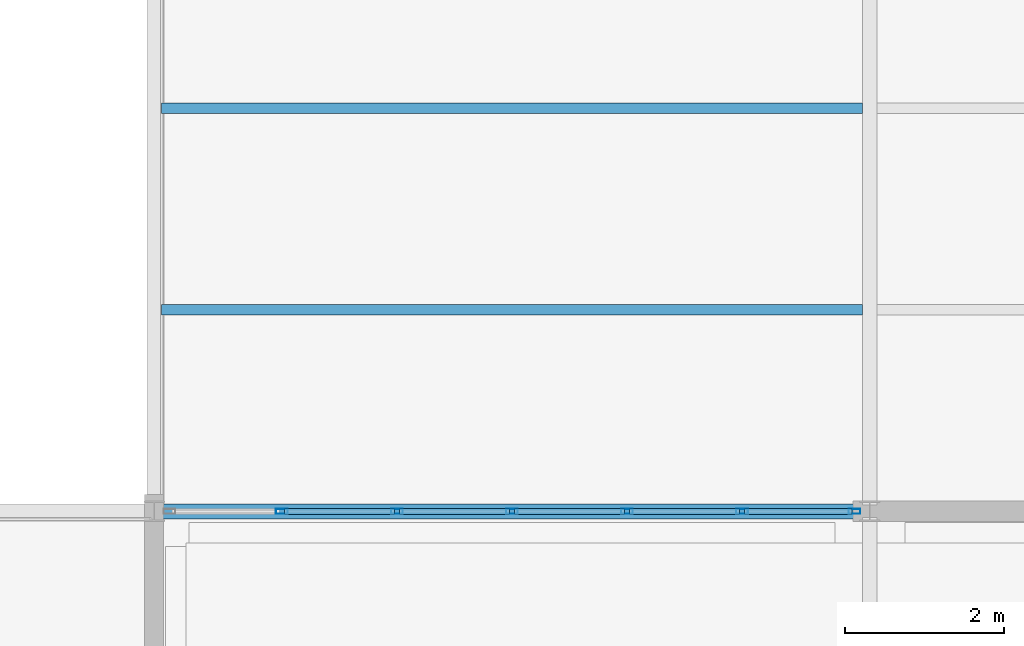
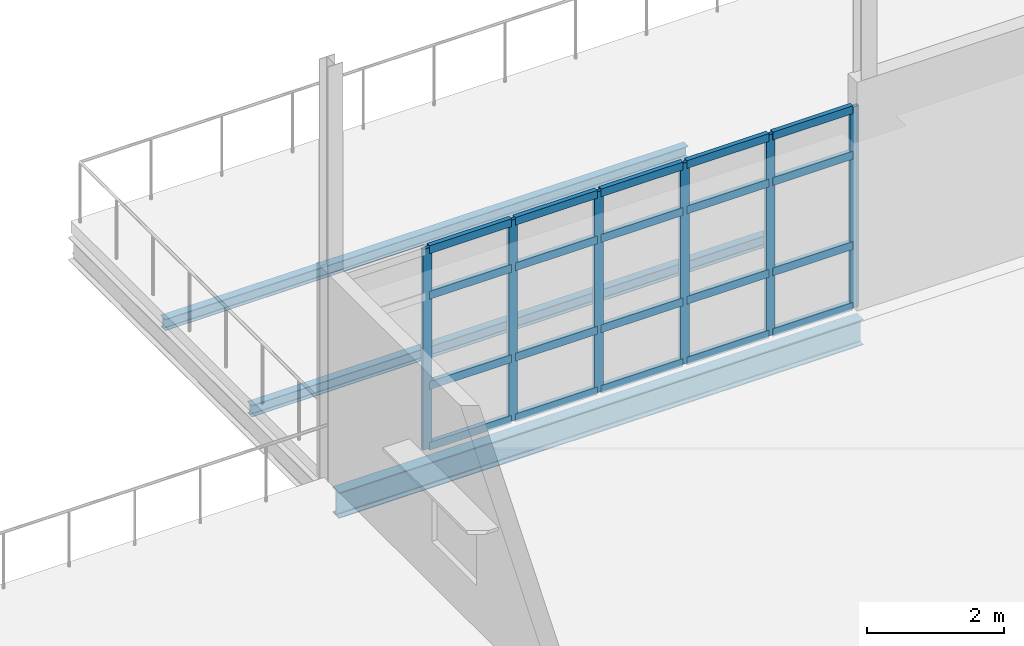
# One storey, part 47 of 96: 26 members, 3 beams, 1 element without a shape of its own.
"""IFC4 building model written with IfcOpenShell, lengths in metres."""

import ifcopenshell
import ifcopenshell.guid

model = None  # the IFC model being written
_history = None  # IfcOwnerHistory: only IFC2X3 demands one
_inside = {}  # id of a spatial element -> (the spatial element, [elements in it])
_under = {}  # id of a project, library or spatial element -> (it, [spatial elements below it])
_declared = {}  # id of a project -> (the project, [libraries it declares])
_typed = {}  # id of a type object -> (the type object, [elements of that type])
_made_of = {}  # id of a material, layer set ... -> (it, [elements and type objects made of it])


def new_model(schema):
    """Start an empty IFC model of exactly this schema.

    Asked for "IFC4X3", IfcOpenShell would pick the latest addendum, in which some entities
    have other attributes; the version numbers below select the first issue.
    IFC2X3 requires an IfcOwnerHistory on every rooted entity: one is made here for all.
    """
    global model, _history
    if schema == "IFC4X3":
        model = ifcopenshell.file(schema_version=(4, 3, 0, 0))
    else:
        model = ifcopenshell.file(schema=schema)
    _inside.clear()
    _under.clear()
    _declared.clear()
    _typed.clear()
    _made_of.clear()
    _history = None
    if model.schema == "IFC2X3":
        org = make("IfcOrganization", Name="unknown")
        user = make(
            "IfcPersonAndOrganization",
            ThePerson=make("IfcPerson", FamilyName="unknown"),
            TheOrganization=org,
        )
        app = make(
            "IfcApplication",
            ApplicationDeveloper=org,
            Version="unknown",
            ApplicationFullName="unknown",
            ApplicationIdentifier="unknown",
        )
        _history = make(
            "IfcOwnerHistory",
            OwningUser=user,
            OwningApplication=app,
            ChangeAction="ADDED",
            CreationDate=0,
        )
    return model


def make(cls, **values):
    """One entity of the class cls with the attributes given. An attribute that is None is left unset."""
    return model.create_entity(
        cls, **{name: value for name, value in values.items() if value is not None}
    )


def rooted(cls, **values):
    """An entity with a GlobalId (a new one), such as an element, a storey or a relation."""
    return make(cls, GlobalId=ifcopenshell.guid.new(), OwnerHistory=_history, **values)


def si_unit(unit_type, name, prefix=None):
    """IfcSIUnit, for example si_unit("LENGTHUNIT", "METRE", prefix="MILLI")."""
    return make("IfcSIUnit", UnitType=unit_type, Prefix=prefix, Name=name)


def assignment(units):
    """IfcUnitAssignment: the units of a project."""
    return None if units is None else make("IfcUnitAssignment", Units=units)


def point(xyz):
    """IfcCartesianPoint."""
    return None if xyz is None else make("IfcCartesianPoint", Coordinates=xyz)


def direction(xyz):
    """IfcDirection."""
    return None if xyz is None else make("IfcDirection", DirectionRatios=xyz)


def frame(location, z_axis=None, x_axis=None):
    """IfcAxis2Placement3D, a coordinate frame: its origin and axes. An axis left out is left unset."""
    return make(
        "IfcAxis2Placement3D",
        Location=point(location),
        Axis=direction(z_axis),
        RefDirection=direction(x_axis),
    )


def frame_2d(location, x_axis=None):
    """IfcAxis2Placement2D, a coordinate frame in the plane: its origin and x axis."""
    return make(
        "IfcAxis2Placement2D", Location=point(location), RefDirection=direction(x_axis)
    )


def origin():
    """The frame at (0, 0, 0) with its axes left unset."""
    return frame((0.0, 0.0, 0.0))


def origin_2d():
    """The frame at (0, 0) in the plane with its x axis left unset."""
    return frame_2d((0.0, 0.0))


def place(relative_to, where):
    """IfcLocalPlacement: puts the frame where relative to a parent placement (None: the world)."""
    return make(
        "IfcLocalPlacement", PlacementRelTo=relative_to, RelativePlacement=where
    )


def context(
    kind, dimensions, precision=None, world=None, true_north=None, identifier=None
):
    """IfcGeometricRepresentationContext, for example the 3D "Model" context."""
    return make(
        "IfcGeometricRepresentationContext",
        ContextIdentifier=identifier,
        ContextType=kind,
        CoordinateSpaceDimension=dimensions,
        Precision=precision,
        WorldCoordinateSystem=world,
        TrueNorth=true_north,
    )


def subcontext(parent, identifier, kind, view, scale=None):
    """IfcGeometricRepresentationSubContext, for example "Body" below "Model"."""
    return make(
        "IfcGeometricRepresentationSubContext",
        ContextIdentifier=identifier,
        ContextType=kind,
        ParentContext=parent,
        TargetScale=scale,
        TargetView=view,
    )


def project(units=None, contexts=None):
    """IfcProject with its units and contexts."""
    return rooted(
        "IfcProject",
        Name="project",
        RepresentationContexts=contexts,
        UnitsInContext=assignment(units),
    )


def spatial(cls, under=None, at=None, **own):
    """A site, building, storey or space (cls), placed at a placement, below another one or the project."""
    s = rooted(cls, ObjectPlacement=at, **own)
    if under is not None:
        _under.setdefault(under.id(), (under, []))[1].append(s)
    return s


def profile(cls, at=None, kind="AREA", **sizes):
    """A parametric profile (cls). Its sizes go by their IFC names, for example OverallWidth=200.0."""
    return make(cls, ProfileType=kind, Position=at, **sizes)


def hollow_rectangle(**sizes):
    """IfcRectangleHollowProfileDef."""
    return profile("IfcRectangleHollowProfileDef", **sizes)


def i_section(**sizes):
    """IfcIShapeProfileDef."""
    return profile("IfcIShapeProfileDef", **sizes)


def extrude(swept, where, along, depth):
    """IfcExtrudedAreaSolid: the profile swept, set in the frame where, extruded along a direction by depth."""
    return make(
        "IfcExtrudedAreaSolid",
        SweptArea=swept,
        Position=where,
        ExtrudedDirection=direction(along),
        Depth=depth,
    )


def shape(context_of_items, identifier, shape_type, items):
    """IfcShapeRepresentation: the items that make up one representation, for example the "Body"."""
    return make(
        "IfcShapeRepresentation",
        ContextOfItems=context_of_items,
        RepresentationIdentifier=identifier,
        RepresentationType=shape_type,
        Items=items,
    )


def material(Name=None, Category=None):
    """IfcMaterial."""
    return make("IfcMaterial", Name=Name, Category=Category)


def material_profile(
    of_material, cross_section, Name=None, Category=None, Priority=None
):
    """IfcMaterialProfile: a cross section and its material."""
    return make(
        "IfcMaterialProfile",
        Name=Name,
        Material=of_material,
        Profile=cross_section,
        Priority=Priority,
        Category=Category,
    )


def profile_set(profiles, Name=None, composite=None):
    """IfcMaterialProfileSet."""
    return make(
        "IfcMaterialProfileSet",
        Name=Name,
        MaterialProfiles=profiles,
        CompositeProfile=composite,
    )


def made_of(thing, what):
    """Note that an element or type object is made of a material, layer set ...; save() writes the relation."""
    if what is not None:
        _made_of.setdefault(what.id(), (what, []))[1].append(thing)
    return thing


def type_object(cls, material=None, **own):
    """A type object (cls), such as IfcWallType, which elements share."""
    return made_of(rooted(cls, **own), material)


def element(
    cls,
    number,
    at=None,
    inside=None,
    cuts=None,
    type_object=None,
    material=None,
    context=None,
    identifier="Body",
    shape_type=None,
    held_by="IfcProductDefinitionShape",
    body=None,
    shapes=None,
    **own,
):
    """One element of the class cls, such as IfcWall. Its Tag is "e" and its number.

    at: its placement. inside: the storey or other place that contains it. cuts: it is an
    opening in that element (IfcRelVoidsElement). A single representation is given by context,
    identifier, shape_type and body (its items); several are given by shapes. held_by: the class
    of the entity that holds the representations. save() writes the other relations.
    """
    e = rooted(cls, Tag="e%d" % number, ObjectPlacement=at, **own)
    if body is not None:
        shapes = [shape(context, identifier, shape_type, body)]
    if shapes is not None:
        e.Representation = make(held_by, Representations=shapes)
    if inside is not None:
        _inside.setdefault(inside.id(), (inside, []))[1].append(e)
    if cuts is not None:
        rooted(
            "IfcRelVoidsElement", RelatingBuildingElement=cuts, RelatedOpeningElement=e
        )
    if type_object is not None:
        _typed.setdefault(type_object.id(), (type_object, []))[1].append(e)
    return made_of(e, material)


def aggregate(whole, parts):
    """IfcRelAggregates: a whole, such as a stair, and the parts it consists of."""
    return rooted("IfcRelAggregates", RelatingObject=whole, RelatedObjects=parts)


def save(model, path):
    """Write the relations noted so far, then the file.

    IfcRelAggregates (storeys below a building ...), IfcRelContainedInSpatialStructure (elements
    in a storey), IfcRelDefinesByType, IfcRelAssociatesMaterial and IfcRelDeclares: one each for
    every whole, place, type object, material and project.
    """
    for whole, parts in _under.values():
        aggregate(whole, parts)
    for where, things in _inside.values():
        rooted(
            "IfcRelContainedInSpatialStructure",
            RelatedElements=things,
            RelatingStructure=where,
        )
    for kind, things in _typed.values():
        rooted("IfcRelDefinesByType", RelatedObjects=things, RelatingType=kind)
    for what, things in _made_of.values():
        rooted("IfcRelAssociatesMaterial", RelatedObjects=things, RelatingMaterial=what)
    for by, libraries in _declared.values():
        rooted("IfcRelDeclares", RelatingContext=by, RelatedDefinitions=libraries)
    model.write(path)


model = new_model("IFC4")

# Units and contexts
model_context = context("Model", 3, precision=1e-05, world=origin(), true_north=direction((0.0, 1.0)))
body_context = subcontext(model_context, "Body", "Model", "MODEL_VIEW")
ifc_project = project(units=[si_unit("LENGTHUNIT", "METRE"), si_unit("AREAUNIT", "SQUARE_METRE"), si_unit("VOLUMEUNIT", "CUBIC_METRE"), si_unit("PLANEANGLEUNIT", "RADIAN"), si_unit("MASSUNIT", "GRAM", prefix="KILO")], contexts=[model_context])

# Site, building, storey
site_placement = place(None, origin())
site = spatial("IfcSite", under=ifc_project, at=site_placement, CompositionType="ELEMENT")
building_placement = place(site_placement, origin())
building = spatial("IfcBuilding", under=site, at=building_placement, Name="Caisbarro Railhouse Central Library", CompositionType="ELEMENT")
storey_placement = place(building_placement, frame((0.0, 0.0, 13.679931640625)))
storey = spatial("IfcBuildingStorey", under=building, at=storey_placement, Name="L03", CompositionType="ELEMENT", Elevation=13.679931640625)

# Beams
ifc_material_1 = material(Name="Steel ASTM A572 Grade 50", Category="steel")
ifc_material_profile_1 = material_profile(ifc_material_1, i_section(OverallWidth=0.133056640625, OverallDepth=0.20703125, WebThickness=0.005859375, FlangeThickness=0.00830078125, FilletRadius=0.010009765625, at=origin_2d()), Name="W200X26.6")
ifc_profile_set_1 = profile_set([ifc_material_profile_1], Name="Steel ASTM A572 Grade 50")
beam_type_1 = type_object("IfcBeamType", Name="BM-J07", PredefinedType="JOIST", material=ifc_profile_set_1)
for number, where, z_axis, x_axis, name in (
    (1, (63.089111328125, 108.933349609375, -0.3134765625), (1.0, 0.0, 0.0), (0.0, 1.0, 0.0), "J07 beam L03 #1958"),
    (2, (63.089111328125, 111.466796875, -0.3134765625), (1.0, 0.0, 0.0), (0.0, 1.0, 0.0), "J07 beam L03 #1959"),
):
    element("IfcBeam", number, at=place(storey_placement, frame(where, z_axis=z_axis, x_axis=x_axis)), inside=storey, type_object=beam_type_1, Name=name, PredefinedType="JOIST", context=body_context, shape_type="SweptSolid", body=[
        extrude(i_section(OverallWidth=0.133056640625, OverallDepth=0.20703125, WebThickness=0.005859375, FlangeThickness=0.00830078125, FilletRadius=0.010009765625, at=origin_2d()), origin(), (0.0, 0.0, 1.0), 8.82177734375),
    ])
ifc_material_profile_2 = material_profile(ifc_material_1, i_section(OverallWidth=0.18994140625, OverallDepth=0.45703125, WebThickness=0.009033203125, FlangeThickness=0.014404296875, FilletRadius=0.01806640625, at=origin_2d()), Name="W460X74.0")
ifc_profile_set_2 = profile_set([ifc_material_profile_2], Name="Steel ASTM A572 Grade 50")
beam_type_2 = type_object("IfcBeamType", Name="BM-SP01", PredefinedType="SPANDREL", material=ifc_profile_set_2)
beam_placement = place(storey_placement, frame((63.080078125, 106.39990234375, -0.4384765625), z_axis=(1.0, 0.0, 0.0), x_axis=(0.0, 1.0, 0.0)))
element("IfcBeam", 3, at=beam_placement, inside=storey, type_object=beam_type_2, Name="SP01 beam L03 #1945", PredefinedType="SPANDREL", context=body_context, shape_type="SweptSolid", body=[
    extrude(i_section(OverallWidth=0.18994140625, OverallDepth=0.45703125, WebThickness=0.009033203125, FlangeThickness=0.014404296875, FilletRadius=0.01806640625, at=origin_2d()), origin(), (0.0, 0.0, 1.0), 8.83984375),
])

# Curtain wall, members
ifc_material_2 = material(Name="Anodised architectural aluminium", Category="aluminium")
curtain_wall_type = type_object("IfcCurtainWallType", Name="CW-CW03", PredefinedType="NOTDEFINED", material=ifc_material_2)
curtain_wall_placement = place(storey_placement, origin())
curtain_wall = element("IfcCurtainWall", 4, at=curtain_wall_placement, inside=storey, type_object=curtain_wall_type, Name="CW03 curtain wall L03 #187", PredefinedType="NOTDEFINED")
ifc_material_profile_3 = material_profile(ifc_material_2, hollow_rectangle(XDim=0.06494140625, YDim=0.14990234375, WallThickness=0.00390625, at=origin_2d()), Name="ALU-MUL-65X150")
ifc_profile_set_3 = profile_set([ifc_material_profile_3], Name="Anodised architectural aluminium")
member_type_1 = type_object("IfcMemberType", Name="CWM-M02", PredefinedType="MULLION", material=ifc_profile_set_3)
member_1_placement = place(storey_placement, frame((64.606689453125, 106.39990234375, 0.0), z_axis=(0.0, 0.0, 1.0), x_axis=(0.0, 1.0, 0.0)))
member_1 = element("IfcMember", 5, at=member_1_placement, type_object=member_type_1, Name="CW03 mullion 2", PredefinedType="MULLION", context=body_context, shape_type="SweptSolid", body=[
    extrude(hollow_rectangle(XDim=0.06494140625, YDim=0.14990234375, WallThickness=0.00390625, at=origin_2d()), origin(), (0.0, 0.0, 1.0), 3.580078125),
])
member_2_placement = place(storey_placement, frame((66.05322265625, 106.39990234375, 0.0), z_axis=(0.0, 0.0, 1.0), x_axis=(0.0, 1.0, 0.0)))
member_2 = element("IfcMember", 6, at=member_2_placement, type_object=member_type_1, Name="CW03 mullion 3", PredefinedType="MULLION", context=body_context, shape_type="SweptSolid", body=[
    extrude(hollow_rectangle(XDim=0.06494140625, YDim=0.14990234375, WallThickness=0.00390625, at=origin_2d()), origin(), (0.0, 0.0, 1.0), 3.580078125),
])
member_3_placement = place(storey_placement, frame((67.5, 106.39990234375, 0.0), z_axis=(0.0, 0.0, 1.0), x_axis=(0.0, 1.0, 0.0)))
member_3 = element("IfcMember", 7, at=member_3_placement, type_object=member_type_1, Name="CW03 mullion 4", PredefinedType="MULLION", context=body_context, shape_type="SweptSolid", body=[
    extrude(hollow_rectangle(XDim=0.06494140625, YDim=0.14990234375, WallThickness=0.00390625, at=origin_2d()), origin(), (0.0, 0.0, 1.0), 3.580078125),
])
member_4_placement = place(storey_placement, frame((68.94677734375, 106.39990234375, 0.0), z_axis=(0.0, 0.0, 1.0), x_axis=(0.0, 1.0, 0.0)))
member_4 = element("IfcMember", 8, at=member_4_placement, type_object=member_type_1, Name="CW03 mullion 5", PredefinedType="MULLION", context=body_context, shape_type="SweptSolid", body=[
    extrude(hollow_rectangle(XDim=0.06494140625, YDim=0.14990234375, WallThickness=0.00390625, at=origin_2d()), origin(), (0.0, 0.0, 1.0), 3.580078125),
])
member_5_placement = place(storey_placement, frame((70.393310546875, 106.39990234375, 0.0), z_axis=(0.0, 0.0, 1.0), x_axis=(0.0, 1.0, 0.0)))
member_5 = element("IfcMember", 9, at=member_5_placement, type_object=member_type_1, Name="CW03 mullion 6", PredefinedType="MULLION", context=body_context, shape_type="SweptSolid", body=[
    extrude(hollow_rectangle(XDim=0.06494140625, YDim=0.14990234375, WallThickness=0.00390625, at=origin_2d()), origin(), (0.0, 0.0, 1.0), 3.580078125),
])
member_6_placement = place(storey_placement, frame((71.8076171875, 106.39990234375, 0.0), z_axis=(0.0, 0.0, 1.0), x_axis=(0.0, 1.0, 0.0)))
member_6 = element("IfcMember", 10, at=member_6_placement, type_object=member_type_1, Name="CW03 mullion 7", PredefinedType="MULLION", context=body_context, shape_type="SweptSolid", body=[
    extrude(hollow_rectangle(XDim=0.06494140625, YDim=0.14990234375, WallThickness=0.00390625, at=origin_2d()), origin(), (0.0, 0.0, 1.0), 3.580078125),
])
ifc_material_profile_4 = material_profile(ifc_material_2, hollow_rectangle(XDim=0.074951171875, YDim=0.139892578125, WallThickness=0.00390625, at=origin_2d()), Name="ALU-TRN-75X140")
ifc_profile_set_4 = profile_set([ifc_material_profile_4], Name="Anodised architectural aluminium")
member_type_2 = type_object("IfcMemberType", Name="CWT-T01", PredefinedType="USERDEFINED", material=ifc_profile_set_4)
member_7_placement = place(storey_placement, frame((64.63916015625, 106.39990234375, 0.03759765625), z_axis=(1.0, 0.0, 0.0), x_axis=(0.0, 1.0, 0.0)))
member_7 = element("IfcMember", 11, at=member_7_placement, type_object=member_type_2, Name="CW03 transom 2.1", ObjectType="TRANSOM", PredefinedType="USERDEFINED", context=body_context, shape_type="SweptSolid", body=[
    extrude(hollow_rectangle(XDim=0.074951171875, YDim=0.139892578125, WallThickness=0.00390625, at=origin_2d()), origin(), (0.0, 0.0, 1.0), 1.381591796875),
])
member_8_placement = place(storey_placement, frame((64.63916015625, 106.39990234375, 1.1201171875), z_axis=(1.0, 0.0, 0.0), x_axis=(0.0, 1.0, 0.0)))
member_8 = element("IfcMember", 12, at=member_8_placement, type_object=member_type_2, Name="CW03 transom 2.2", ObjectType="TRANSOM", PredefinedType="USERDEFINED", context=body_context, shape_type="SweptSolid", body=[
    extrude(hollow_rectangle(XDim=0.074951171875, YDim=0.139892578125, WallThickness=0.00390625, at=origin_2d()), origin(), (0.0, 0.0, 1.0), 1.381591796875),
])
member_9_placement = place(storey_placement, frame((64.63916015625, 106.39990234375, 2.72998046875), z_axis=(1.0, 0.0, 0.0), x_axis=(0.0, 1.0, 0.0)))
member_9 = element("IfcMember", 13, at=member_9_placement, type_object=member_type_2, Name="CW03 transom 2.3", ObjectType="TRANSOM", PredefinedType="USERDEFINED", context=body_context, shape_type="SweptSolid", body=[
    extrude(hollow_rectangle(XDim=0.074951171875, YDim=0.139892578125, WallThickness=0.00390625, at=origin_2d()), origin(), (0.0, 0.0, 1.0), 1.381591796875),
])
member_10_placement = place(storey_placement, frame((64.63916015625, 106.39990234375, 3.54248046875), z_axis=(1.0, 0.0, 0.0), x_axis=(0.0, 1.0, 0.0)))
member_10 = element("IfcMember", 14, at=member_10_placement, type_object=member_type_2, Name="CW03 transom 2.4", ObjectType="TRANSOM", PredefinedType="USERDEFINED", context=body_context, shape_type="SweptSolid", body=[
    extrude(hollow_rectangle(XDim=0.074951171875, YDim=0.139892578125, WallThickness=0.00390625, at=origin_2d()), origin(), (0.0, 0.0, 1.0), 1.381591796875),
])
member_11_placement = place(storey_placement, frame((66.0859375, 106.39990234375, 0.03759765625), z_axis=(1.0, 0.0, 0.0), x_axis=(0.0, 1.0, 0.0)))
member_11 = element("IfcMember", 15, at=member_11_placement, type_object=member_type_2, Name="CW03 transom 3.1", ObjectType="TRANSOM", PredefinedType="USERDEFINED", context=body_context, shape_type="SweptSolid", body=[
    extrude(hollow_rectangle(XDim=0.074951171875, YDim=0.139892578125, WallThickness=0.00390625, at=origin_2d()), origin(), (0.0, 0.0, 1.0), 1.381591796875),
])
member_12_placement = place(storey_placement, frame((66.0859375, 106.39990234375, 1.1201171875), z_axis=(1.0, 0.0, 0.0), x_axis=(0.0, 1.0, 0.0)))
member_12 = element("IfcMember", 16, at=member_12_placement, type_object=member_type_2, Name="CW03 transom 3.2", ObjectType="TRANSOM", PredefinedType="USERDEFINED", context=body_context, shape_type="SweptSolid", body=[
    extrude(hollow_rectangle(XDim=0.074951171875, YDim=0.139892578125, WallThickness=0.00390625, at=origin_2d()), origin(), (0.0, 0.0, 1.0), 1.381591796875),
])
member_13_placement = place(storey_placement, frame((66.0859375, 106.39990234375, 2.72998046875), z_axis=(1.0, 0.0, 0.0), x_axis=(0.0, 1.0, 0.0)))
member_13 = element("IfcMember", 17, at=member_13_placement, type_object=member_type_2, Name="CW03 transom 3.3", ObjectType="TRANSOM", PredefinedType="USERDEFINED", context=body_context, shape_type="SweptSolid", body=[
    extrude(hollow_rectangle(XDim=0.074951171875, YDim=0.139892578125, WallThickness=0.00390625, at=origin_2d()), origin(), (0.0, 0.0, 1.0), 1.381591796875),
])
member_14_placement = place(storey_placement, frame((66.0859375, 106.39990234375, 3.54248046875), z_axis=(1.0, 0.0, 0.0), x_axis=(0.0, 1.0, 0.0)))
member_14 = element("IfcMember", 18, at=member_14_placement, type_object=member_type_2, Name="CW03 transom 3.4", ObjectType="TRANSOM", PredefinedType="USERDEFINED", context=body_context, shape_type="SweptSolid", body=[
    extrude(hollow_rectangle(XDim=0.074951171875, YDim=0.139892578125, WallThickness=0.00390625, at=origin_2d()), origin(), (0.0, 0.0, 1.0), 1.381591796875),
])
member_15_placement = place(storey_placement, frame((67.532470703125, 106.39990234375, 0.03759765625), z_axis=(1.0, 0.0, 0.0), x_axis=(0.0, 1.0, 0.0)))
member_15 = element("IfcMember", 19, at=member_15_placement, type_object=member_type_2, Name="CW03 transom 4.1", ObjectType="TRANSOM", PredefinedType="USERDEFINED", context=body_context, shape_type="SweptSolid", body=[
    extrude(hollow_rectangle(XDim=0.074951171875, YDim=0.139892578125, WallThickness=0.00390625, at=origin_2d()), origin(), (0.0, 0.0, 1.0), 1.381591796875),
])
member_16_placement = place(storey_placement, frame((67.532470703125, 106.39990234375, 1.1201171875), z_axis=(1.0, 0.0, 0.0), x_axis=(0.0, 1.0, 0.0)))
member_16 = element("IfcMember", 20, at=member_16_placement, type_object=member_type_2, Name="CW03 transom 4.2", ObjectType="TRANSOM", PredefinedType="USERDEFINED", context=body_context, shape_type="SweptSolid", body=[
    extrude(hollow_rectangle(XDim=0.074951171875, YDim=0.139892578125, WallThickness=0.00390625, at=origin_2d()), origin(), (0.0, 0.0, 1.0), 1.381591796875),
])
member_17_placement = place(storey_placement, frame((67.532470703125, 106.39990234375, 2.72998046875), z_axis=(1.0, 0.0, 0.0), x_axis=(0.0, 1.0, 0.0)))
member_17 = element("IfcMember", 21, at=member_17_placement, type_object=member_type_2, Name="CW03 transom 4.3", ObjectType="TRANSOM", PredefinedType="USERDEFINED", context=body_context, shape_type="SweptSolid", body=[
    extrude(hollow_rectangle(XDim=0.074951171875, YDim=0.139892578125, WallThickness=0.00390625, at=origin_2d()), origin(), (0.0, 0.0, 1.0), 1.381591796875),
])
member_18_placement = place(storey_placement, frame((67.532470703125, 106.39990234375, 3.54248046875), z_axis=(1.0, 0.0, 0.0), x_axis=(0.0, 1.0, 0.0)))
member_18 = element("IfcMember", 22, at=member_18_placement, type_object=member_type_2, Name="CW03 transom 4.4", ObjectType="TRANSOM", PredefinedType="USERDEFINED", context=body_context, shape_type="SweptSolid", body=[
    extrude(hollow_rectangle(XDim=0.074951171875, YDim=0.139892578125, WallThickness=0.00390625, at=origin_2d()), origin(), (0.0, 0.0, 1.0), 1.381591796875),
])
member_19_placement = place(storey_placement, frame((68.979248046875, 106.39990234375, 0.03759765625), z_axis=(1.0, 0.0, 0.0), x_axis=(0.0, 1.0, 0.0)))
member_19 = element("IfcMember", 23, at=member_19_placement, type_object=member_type_2, Name="CW03 transom 5.1", ObjectType="TRANSOM", PredefinedType="USERDEFINED", context=body_context, shape_type="SweptSolid", body=[
    extrude(hollow_rectangle(XDim=0.074951171875, YDim=0.139892578125, WallThickness=0.00390625, at=origin_2d()), origin(), (0.0, 0.0, 1.0), 1.381591796875),
])
member_20_placement = place(storey_placement, frame((68.979248046875, 106.39990234375, 1.1201171875), z_axis=(1.0, 0.0, 0.0), x_axis=(0.0, 1.0, 0.0)))
member_20 = element("IfcMember", 24, at=member_20_placement, type_object=member_type_2, Name="CW03 transom 5.2", ObjectType="TRANSOM", PredefinedType="USERDEFINED", context=body_context, shape_type="SweptSolid", body=[
    extrude(hollow_rectangle(XDim=0.074951171875, YDim=0.139892578125, WallThickness=0.00390625, at=origin_2d()), origin(), (0.0, 0.0, 1.0), 1.381591796875),
])
member_21_placement = place(storey_placement, frame((68.979248046875, 106.39990234375, 2.72998046875), z_axis=(1.0, 0.0, 0.0), x_axis=(0.0, 1.0, 0.0)))
member_21 = element("IfcMember", 25, at=member_21_placement, type_object=member_type_2, Name="CW03 transom 5.3", ObjectType="TRANSOM", PredefinedType="USERDEFINED", context=body_context, shape_type="SweptSolid", body=[
    extrude(hollow_rectangle(XDim=0.074951171875, YDim=0.139892578125, WallThickness=0.00390625, at=origin_2d()), origin(), (0.0, 0.0, 1.0), 1.381591796875),
])
member_22_placement = place(storey_placement, frame((68.979248046875, 106.39990234375, 3.54248046875), z_axis=(1.0, 0.0, 0.0), x_axis=(0.0, 1.0, 0.0)))
member_22 = element("IfcMember", 26, at=member_22_placement, type_object=member_type_2, Name="CW03 transom 5.4", ObjectType="TRANSOM", PredefinedType="USERDEFINED", context=body_context, shape_type="SweptSolid", body=[
    extrude(hollow_rectangle(XDim=0.074951171875, YDim=0.139892578125, WallThickness=0.00390625, at=origin_2d()), origin(), (0.0, 0.0, 1.0), 1.381591796875),
])
member_23_placement = place(storey_placement, frame((70.42578125, 106.39990234375, 0.03759765625), z_axis=(1.0, 0.0, 0.0), x_axis=(0.0, 1.0, 0.0)))
member_23 = element("IfcMember", 27, at=member_23_placement, type_object=member_type_2, Name="CW03 transom 6.1", ObjectType="TRANSOM", PredefinedType="USERDEFINED", context=body_context, shape_type="SweptSolid", body=[
    extrude(hollow_rectangle(XDim=0.074951171875, YDim=0.139892578125, WallThickness=0.00390625, at=origin_2d()), origin(), (0.0, 0.0, 1.0), 1.34912109375),
])
member_24_placement = place(storey_placement, frame((70.42578125, 106.39990234375, 1.1201171875), z_axis=(1.0, 0.0, 0.0), x_axis=(0.0, 1.0, 0.0)))
member_24 = element("IfcMember", 28, at=member_24_placement, type_object=member_type_2, Name="CW03 transom 6.2", ObjectType="TRANSOM", PredefinedType="USERDEFINED", context=body_context, shape_type="SweptSolid", body=[
    extrude(hollow_rectangle(XDim=0.074951171875, YDim=0.139892578125, WallThickness=0.00390625, at=origin_2d()), origin(), (0.0, 0.0, 1.0), 1.34912109375),
])
member_25_placement = place(storey_placement, frame((70.42578125, 106.39990234375, 2.72998046875), z_axis=(1.0, 0.0, 0.0), x_axis=(0.0, 1.0, 0.0)))
member_25 = element("IfcMember", 29, at=member_25_placement, type_object=member_type_2, Name="CW03 transom 6.3", ObjectType="TRANSOM", PredefinedType="USERDEFINED", context=body_context, shape_type="SweptSolid", body=[
    extrude(hollow_rectangle(XDim=0.074951171875, YDim=0.139892578125, WallThickness=0.00390625, at=origin_2d()), origin(), (0.0, 0.0, 1.0), 1.34912109375),
])
member_26_placement = place(storey_placement, frame((70.42578125, 106.39990234375, 3.54248046875), z_axis=(1.0, 0.0, 0.0), x_axis=(0.0, 1.0, 0.0)))
member_26 = element("IfcMember", 30, at=member_26_placement, type_object=member_type_2, Name="CW03 transom 6.4", ObjectType="TRANSOM", PredefinedType="USERDEFINED", context=body_context, shape_type="SweptSolid", body=[
    extrude(hollow_rectangle(XDim=0.074951171875, YDim=0.139892578125, WallThickness=0.00390625, at=origin_2d()), origin(), (0.0, 0.0, 1.0), 1.34912109375),
])
aggregate(curtain_wall, [member_1, member_2, member_3, member_4, member_5, member_6, member_7, member_8, member_9, member_10, member_11, member_12, member_13, member_14, member_15, member_16, member_17, member_18, member_19, member_20, member_21, member_22, member_23, member_24, member_25, member_26])

save(model, "model.ifc")
